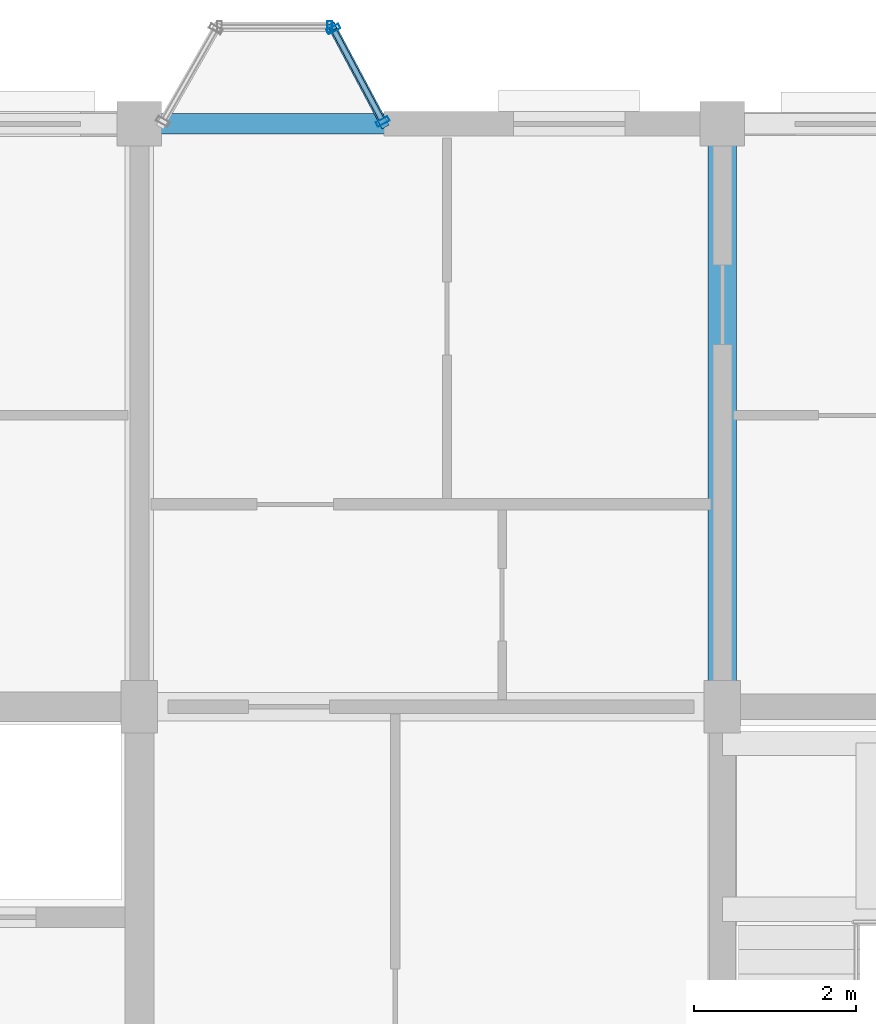
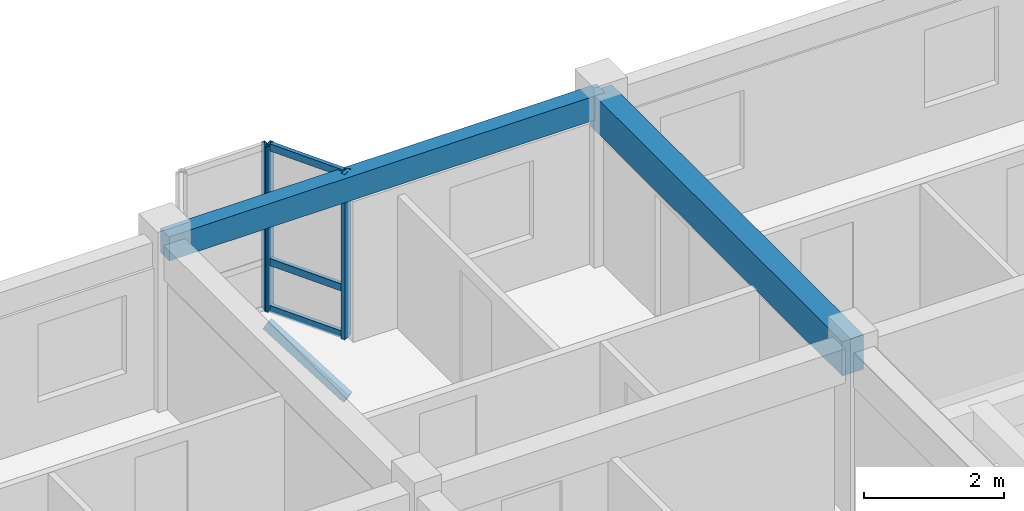
# One storey, part 39 of 75: 7 members, 2 beams, 2 elements without a shape of their own.
"""IFC4 building model written with IfcOpenShell, lengths in metres."""

import ifcopenshell
import ifcopenshell.guid

model = None  # the IFC model being written
_history = None  # IfcOwnerHistory: only IFC2X3 demands one
_inside = {}  # id of a spatial element -> (the spatial element, [elements in it])
_under = {}  # id of a project, library or spatial element -> (it, [spatial elements below it])
_declared = {}  # id of a project -> (the project, [libraries it declares])
_typed = {}  # id of a type object -> (the type object, [elements of that type])
_made_of = {}  # id of a material, layer set ... -> (it, [elements and type objects made of it])


def new_model(schema):
    """Start an empty IFC model of exactly this schema.

    Asked for "IFC4X3", IfcOpenShell would pick the latest addendum, in which some entities
    have other attributes; the version numbers below select the first issue.
    IFC2X3 requires an IfcOwnerHistory on every rooted entity: one is made here for all.
    """
    global model, _history
    if schema == "IFC4X3":
        model = ifcopenshell.file(schema_version=(4, 3, 0, 0))
    else:
        model = ifcopenshell.file(schema=schema)
    _inside.clear()
    _under.clear()
    _declared.clear()
    _typed.clear()
    _made_of.clear()
    _history = None
    if model.schema == "IFC2X3":
        org = make("IfcOrganization", Name="unknown")
        user = make(
            "IfcPersonAndOrganization",
            ThePerson=make("IfcPerson", FamilyName="unknown"),
            TheOrganization=org,
        )
        app = make(
            "IfcApplication",
            ApplicationDeveloper=org,
            Version="unknown",
            ApplicationFullName="unknown",
            ApplicationIdentifier="unknown",
        )
        _history = make(
            "IfcOwnerHistory",
            OwningUser=user,
            OwningApplication=app,
            ChangeAction="ADDED",
            CreationDate=0,
        )
    return model


def make(cls, **values):
    """One entity of the class cls with the attributes given. An attribute that is None is left unset."""
    return model.create_entity(
        cls, **{name: value for name, value in values.items() if value is not None}
    )


def rooted(cls, **values):
    """An entity with a GlobalId (a new one), such as an element, a storey or a relation."""
    return make(cls, GlobalId=ifcopenshell.guid.new(), OwnerHistory=_history, **values)


def si_unit(unit_type, name, prefix=None):
    """IfcSIUnit, for example si_unit("LENGTHUNIT", "METRE", prefix="MILLI")."""
    return make("IfcSIUnit", UnitType=unit_type, Prefix=prefix, Name=name)


def assignment(units):
    """IfcUnitAssignment: the units of a project."""
    return None if units is None else make("IfcUnitAssignment", Units=units)


def point(xyz):
    """IfcCartesianPoint."""
    return None if xyz is None else make("IfcCartesianPoint", Coordinates=xyz)


def direction(xyz):
    """IfcDirection."""
    return None if xyz is None else make("IfcDirection", DirectionRatios=xyz)


def frame(location, z_axis=None, x_axis=None):
    """IfcAxis2Placement3D, a coordinate frame: its origin and axes. An axis left out is left unset."""
    return make(
        "IfcAxis2Placement3D",
        Location=point(location),
        Axis=direction(z_axis),
        RefDirection=direction(x_axis),
    )


def frame_2d(location, x_axis=None):
    """IfcAxis2Placement2D, a coordinate frame in the plane: its origin and x axis."""
    return make(
        "IfcAxis2Placement2D", Location=point(location), RefDirection=direction(x_axis)
    )


def origin():
    """The frame at (0, 0, 0) with its axes left unset."""
    return frame((0.0, 0.0, 0.0))


def origin_2d():
    """The frame at (0, 0) in the plane with its x axis left unset."""
    return frame_2d((0.0, 0.0))


def place(relative_to, where):
    """IfcLocalPlacement: puts the frame where relative to a parent placement (None: the world)."""
    return make(
        "IfcLocalPlacement", PlacementRelTo=relative_to, RelativePlacement=where
    )


def context(
    kind, dimensions, precision=None, world=None, true_north=None, identifier=None
):
    """IfcGeometricRepresentationContext, for example the 3D "Model" context."""
    return make(
        "IfcGeometricRepresentationContext",
        ContextIdentifier=identifier,
        ContextType=kind,
        CoordinateSpaceDimension=dimensions,
        Precision=precision,
        WorldCoordinateSystem=world,
        TrueNorth=true_north,
    )


def subcontext(parent, identifier, kind, view, scale=None):
    """IfcGeometricRepresentationSubContext, for example "Body" below "Model"."""
    return make(
        "IfcGeometricRepresentationSubContext",
        ContextIdentifier=identifier,
        ContextType=kind,
        ParentContext=parent,
        TargetScale=scale,
        TargetView=view,
    )


def project(units=None, contexts=None):
    """IfcProject with its units and contexts."""
    return rooted(
        "IfcProject",
        Name="project",
        RepresentationContexts=contexts,
        UnitsInContext=assignment(units),
    )


def spatial(cls, under=None, at=None, **own):
    """A site, building, storey or space (cls), placed at a placement, below another one or the project."""
    s = rooted(cls, ObjectPlacement=at, **own)
    if under is not None:
        _under.setdefault(under.id(), (under, []))[1].append(s)
    return s


def profile(cls, at=None, kind="AREA", **sizes):
    """A parametric profile (cls). Its sizes go by their IFC names, for example OverallWidth=200.0."""
    return make(cls, ProfileType=kind, Position=at, **sizes)


def rectangle(**sizes):
    """IfcRectangleProfileDef."""
    return profile("IfcRectangleProfileDef", **sizes)


def hollow_rectangle(**sizes):
    """IfcRectangleHollowProfileDef."""
    return profile("IfcRectangleHollowProfileDef", **sizes)


def extrude(swept, where, along, depth):
    """IfcExtrudedAreaSolid: the profile swept, set in the frame where, extruded along a direction by depth."""
    return make(
        "IfcExtrudedAreaSolid",
        SweptArea=swept,
        Position=where,
        ExtrudedDirection=direction(along),
        Depth=depth,
    )


def shape(context_of_items, identifier, shape_type, items):
    """IfcShapeRepresentation: the items that make up one representation, for example the "Body"."""
    return make(
        "IfcShapeRepresentation",
        ContextOfItems=context_of_items,
        RepresentationIdentifier=identifier,
        RepresentationType=shape_type,
        Items=items,
    )


def material(Name=None, Category=None):
    """IfcMaterial."""
    return make("IfcMaterial", Name=Name, Category=Category)


def layer(
    of_material, thickness, ventilated=None, Name=None, Category=None, Priority=None
):
    """IfcMaterialLayer: one layer of a wall or slab, of a material (None: an air gap)."""
    return make(
        "IfcMaterialLayer",
        Material=of_material,
        LayerThickness=thickness,
        IsVentilated=ventilated,
        Name=Name,
        Category=Category,
        Priority=Priority,
    )


def layer_set(layers, Name=None):
    """IfcMaterialLayerSet."""
    return make("IfcMaterialLayerSet", MaterialLayers=layers, LayerSetName=Name)


def material_profile(
    of_material, cross_section, Name=None, Category=None, Priority=None
):
    """IfcMaterialProfile: a cross section and its material."""
    return make(
        "IfcMaterialProfile",
        Name=Name,
        Material=of_material,
        Profile=cross_section,
        Priority=Priority,
        Category=Category,
    )


def profile_set(profiles, Name=None, composite=None):
    """IfcMaterialProfileSet."""
    return make(
        "IfcMaterialProfileSet",
        Name=Name,
        MaterialProfiles=profiles,
        CompositeProfile=composite,
    )


def made_of(thing, what):
    """Note that an element or type object is made of a material, layer set ...; save() writes the relation."""
    if what is not None:
        _made_of.setdefault(what.id(), (what, []))[1].append(thing)
    return thing


def type_object(cls, material=None, **own):
    """A type object (cls), such as IfcWallType, which elements share."""
    return made_of(rooted(cls, **own), material)


def element(
    cls,
    number,
    at=None,
    inside=None,
    cuts=None,
    type_object=None,
    material=None,
    context=None,
    identifier="Body",
    shape_type=None,
    held_by="IfcProductDefinitionShape",
    body=None,
    shapes=None,
    **own,
):
    """One element of the class cls, such as IfcWall. Its Tag is "e" and its number.

    at: its placement. inside: the storey or other place that contains it. cuts: it is an
    opening in that element (IfcRelVoidsElement). A single representation is given by context,
    identifier, shape_type and body (its items); several are given by shapes. held_by: the class
    of the entity that holds the representations. save() writes the other relations.
    """
    e = rooted(cls, Tag="e%d" % number, ObjectPlacement=at, **own)
    if body is not None:
        shapes = [shape(context, identifier, shape_type, body)]
    if shapes is not None:
        e.Representation = make(held_by, Representations=shapes)
    if inside is not None:
        _inside.setdefault(inside.id(), (inside, []))[1].append(e)
    if cuts is not None:
        rooted(
            "IfcRelVoidsElement", RelatingBuildingElement=cuts, RelatedOpeningElement=e
        )
    if type_object is not None:
        _typed.setdefault(type_object.id(), (type_object, []))[1].append(e)
    return made_of(e, material)


def aggregate(whole, parts):
    """IfcRelAggregates: a whole, such as a stair, and the parts it consists of."""
    return rooted("IfcRelAggregates", RelatingObject=whole, RelatedObjects=parts)


def save(model, path):
    """Write the relations noted so far, then the file.

    IfcRelAggregates (storeys below a building ...), IfcRelContainedInSpatialStructure (elements
    in a storey), IfcRelDefinesByType, IfcRelAssociatesMaterial and IfcRelDeclares: one each for
    every whole, place, type object, material and project.
    """
    for whole, parts in _under.values():
        aggregate(whole, parts)
    for where, things in _inside.values():
        rooted(
            "IfcRelContainedInSpatialStructure",
            RelatedElements=things,
            RelatingStructure=where,
        )
    for kind, things in _typed.values():
        rooted("IfcRelDefinesByType", RelatedObjects=things, RelatingType=kind)
    for what, things in _made_of.values():
        rooted("IfcRelAssociatesMaterial", RelatedObjects=things, RelatingMaterial=what)
    for by, libraries in _declared.values():
        rooted("IfcRelDeclares", RelatingContext=by, RelatedDefinitions=libraries)
    model.write(path)


model = new_model("IFC4")

# Units and contexts
model_context = context("Model", 3, precision=1e-05, world=origin(), true_north=direction((0.0, 1.0)))
body_context = subcontext(model_context, "Body", "Model", "MODEL_VIEW")
ifc_project = project(units=[si_unit("LENGTHUNIT", "METRE"), si_unit("AREAUNIT", "SQUARE_METRE"), si_unit("VOLUMEUNIT", "CUBIC_METRE"), si_unit("PLANEANGLEUNIT", "RADIAN"), si_unit("MASSUNIT", "GRAM", prefix="KILO"), si_unit("THERMODYNAMICTEMPERATUREUNIT", "KELVIN"), si_unit("POWERUNIT", "WATT")], contexts=[model_context])

# Site, building, storey
site_placement = place(None, origin())
site = spatial("IfcSite", under=ifc_project, at=site_placement, CompositionType="ELEMENT")
building_placement = place(site_placement, origin())
building = spatial("IfcBuilding", under=site, at=building_placement, Name="Tavuni Mirador Residences", CompositionType="ELEMENT")
storey_placement = place(building_placement, frame((0.0, 0.0, 20.25)))
storey = spatial("IfcBuildingStorey", under=building, at=storey_placement, Name="L06", CompositionType="ELEMENT", Elevation=20.25)

# Beams
ifc_material_1 = material(Name="Precast concrete C40/50", Category="concrete")
ifc_material_profile_1 = material_profile(ifc_material_1, rectangle(XDim=0.35009765625, YDim=0.60009765625, at=origin_2d()), Name="PC 350x600", Category="concrete")
ifc_profile_set_1 = profile_set([ifc_material_profile_1], Name="Precast concrete C40/50")
beam_type_1 = type_object("IfcBeamType", Name="BT-B600", PredefinedType="BEAM", material=ifc_profile_set_1)
beam_1_placement = place(storey_placement, frame((39.60009765625, 165.60009765625, 2.5849609375), z_axis=(0.0, 1.0, 0.0), x_axis=(-1.0, 0.0, 0.0)))
element("IfcBeam", 1, at=beam_1_placement, inside=storey, type_object=beam_type_1, Name="BMY-BLK-C-L06-04-03", PredefinedType="BEAM", context=body_context, shape_type="SweptSolid", body=[
    extrude(rectangle(XDim=0.35009765625, YDim=0.60009765625, at=origin_2d()), origin(), (0.0, 0.0, 1.0), 7.199951171875),
])
ifc_material_profile_2 = material_profile(ifc_material_1, rectangle(XDim=0.25, YDim=0.419921875, at=origin_2d()), Name="PC 250x420", Category="concrete")
ifc_profile_set_2 = profile_set([ifc_material_profile_2], Name="Precast concrete C40/50")
beam_type_2 = type_object("IfcBeamType", Name="BT-SP420", PredefinedType="SPANDREL", material=ifc_profile_set_2)
beam_2_placement = place(storey_placement, frame((32.39990234375, 172.800048828125, 2.675048828125), z_axis=(1.0, 0.0, 0.0), x_axis=(0.0, 1.0, 0.0)))
element("IfcBeam", 2, at=beam_2_placement, inside=storey, type_object=beam_type_2, Name="BMX-BLK-C-L06-03-04", PredefinedType="SPANDREL", context=body_context, shape_type="SweptSolid", body=[
    extrude(rectangle(XDim=0.25, YDim=0.419921875, at=origin_2d()), origin(), (0.0, 0.0, 1.0), 7.2001953125),
])

# Curtain wall, member
ifc_material_2 = material(Name="Anodised aluminium", Category="aluminium")
ifc_layer_1 = layer(ifc_material_2, 0.175048828125, Name="Anodised aluminium", Category="aluminium")
ifc_layer_set_1 = layer_set([ifc_layer_1], Name="Anodised aluminium")
curtain_wall_type_1 = type_object("IfcCurtainWallType", Name="CWT-MIR-C", PredefinedType="NOTDEFINED", material=ifc_layer_set_1)
curtain_wall_1_placement = place(storey_placement, origin())
curtain_wall_1 = element("IfcCurtainWall", 3, at=curtain_wall_1_placement, inside=storey, type_object=curtain_wall_type_1, Name="CW-MIR-C-N2-L06-MF", PredefinedType="NOTDEFINED")
ifc_material_profile_3 = material_profile(ifc_material_2, hollow_rectangle(XDim=0.06005859375, YDim=0.139892578125, WallThickness=0.00390625, at=origin_2d()), Name="ALU 60x140x4.0", Category="aluminium")
ifc_profile_set_3 = profile_set([ifc_material_profile_3], Name="Anodised aluminium")
member_type_1 = type_object("IfcMemberType", Name="CWM-140", PredefinedType="MULLION", material=ifc_profile_set_3)
member_1_placement = place(storey_placement, frame((34.75, 174.0, 0.0), z_axis=(0.0, 0.0, 1.0), x_axis=(-1.0, 0.0, 0.0)))
member_1 = element("IfcMember", 4, at=member_1_placement, type_object=member_type_1, Name="CW-03 mullion 1", PredefinedType="MULLION", context=body_context, shape_type="SweptSolid", body=[
    extrude(hollow_rectangle(XDim=0.06005859375, YDim=0.139892578125, WallThickness=0.00390625, at=origin_2d()), origin(), (0.0, 0.0, 1.0), 2.885009765625),
])
aggregate(curtain_wall_1, [member_1])

# Curtain wall, members
ifc_layer_2 = layer(ifc_material_2, 0.14990234375, Name="Anodised aluminium", Category="aluminium")
ifc_layer_set_2 = layer_set([ifc_layer_2], Name="Anodised aluminium")
curtain_wall_type_2 = type_object("IfcCurtainWallType", Name="CWT-MIR-B", PredefinedType="NOTDEFINED", material=ifc_layer_set_2)
curtain_wall_2_placement = place(storey_placement, origin())
curtain_wall_2 = element("IfcCurtainWall", 5, at=curtain_wall_2_placement, inside=storey, type_object=curtain_wall_type_2, Name="CW-MIR-C-N2-L06-M1", PredefinedType="NOTDEFINED")
ifc_material_profile_4 = material_profile(ifc_material_2, hollow_rectangle(XDim=0.06494140625, YDim=0.1650390625, WallThickness=0.00439453125, at=origin_2d()), Name="ALU 65x165x4.5", Category="aluminium")
ifc_profile_set_4 = profile_set([ifc_material_profile_4], Name="Anodised aluminium")
member_type_2 = type_object("IfcMemberType", Name="CWM-165", PredefinedType="MULLION", material=ifc_profile_set_4)
member_2_placement = place(storey_placement, frame((35.40478515625, 172.82861328125, 0.0), z_axis=(0.0, 0.0, 1.0), x_axis=(-0.470588235296, 0.882352941175, 0.0)))
member_2 = element("IfcMember", 6, at=member_2_placement, type_object=member_type_2, Name="CW-02 mullion 1", PredefinedType="MULLION", context=body_context, shape_type="SweptSolid", body=[
    extrude(hollow_rectangle(XDim=0.06494140625, YDim=0.1650390625, WallThickness=0.00439453125, at=origin_2d()), origin(), (0.0, 0.0, 1.0), 2.885009765625),
])
member_3_placement = place(storey_placement, frame((34.79541015625, 173.971435546875, 0.0), z_axis=(0.0, 0.0, 1.0), x_axis=(-0.470588235296, 0.882352941175, 0.0)))
member_3 = element("IfcMember", 7, at=member_3_placement, type_object=member_type_2, Name="CW-02 mullion 2", PredefinedType="MULLION", context=body_context, shape_type="SweptSolid", body=[
    extrude(hollow_rectangle(XDim=0.06494140625, YDim=0.1650390625, WallThickness=0.00439453125, at=origin_2d()), origin(), (0.0, 0.0, 1.0), 2.885009765625),
])
ifc_material_profile_5 = material_profile(ifc_material_2, hollow_rectangle(XDim=0.06494140625, YDim=0.125, WallThickness=0.00439453125, at=origin_2d()), Name="ALU 65x125x4.5", Category="aluminium")
ifc_profile_set_5 = profile_set([ifc_material_profile_5], Name="Anodised aluminium")
member_type_3 = type_object("IfcMemberType", Name="CWT-125", PredefinedType="USERDEFINED", material=ifc_profile_set_5)
member_4_placement = place(storey_placement, frame((35.389404296875, 172.857421875, 0.032470703125), z_axis=(-0.470639747922, 0.882325465843, 0.0), x_axis=(-0.882325465843, -0.470639747922, 0.0)))
member_4 = element("IfcMember", 8, at=member_4_placement, type_object=member_type_3, Name="CW-02 transom 1.1", ObjectType="TRANSOM", PredefinedType="USERDEFINED", context=body_context, shape_type="SweptSolid", body=[
    extrude(hollow_rectangle(XDim=0.06494140625, YDim=0.125, WallThickness=0.00439453125, at=origin_2d()), origin(), (0.0, 0.0, 1.0), 1.22998046875),
])
member_5_placement = place(storey_placement, frame((35.389404296875, 172.857421875, 0.85009765625), z_axis=(-0.470639747922, 0.882325465843, 0.0), x_axis=(-0.882325465843, -0.470639747922, 0.0)))
member_5 = element("IfcMember", 9, at=member_5_placement, type_object=member_type_3, Name="CW-02 transom 1.2", ObjectType="TRANSOM", PredefinedType="USERDEFINED", context=body_context, shape_type="SweptSolid", body=[
    extrude(hollow_rectangle(XDim=0.06494140625, YDim=0.125, WallThickness=0.00439453125, at=origin_2d()), origin(), (0.0, 0.0, 1.0), 1.22998046875),
])
member_6_placement = place(storey_placement, frame((35.389404296875, 172.857421875, 2.8525390625), z_axis=(-0.470639747922, 0.882325465843, 0.0), x_axis=(-0.882325465843, -0.470639747922, 0.0)))
member_6 = element("IfcMember", 10, at=member_6_placement, type_object=member_type_3, Name="CW-02 transom 1.3", ObjectType="TRANSOM", PredefinedType="USERDEFINED", context=body_context, shape_type="SweptSolid", body=[
    extrude(hollow_rectangle(XDim=0.06494140625, YDim=0.125, WallThickness=0.00439453125, at=origin_2d()), origin(), (0.0, 0.0, 1.0), 1.22998046875),
])
aggregate(curtain_wall_2, [member_2, member_3, member_4, member_5, member_6])

# Member
ifc_material_3 = material(Name="Structural steel S355", Category="steel")
ifc_material_profile_6 = material_profile(ifc_material_3, hollow_rectangle(XDim=0.10009765625, YDim=0.179931640625, WallThickness=0.008056640625, at=origin_2d()), Name="RHS 180x100x8.0", Category="steel")
ifc_profile_set_6 = profile_set([ifc_material_profile_6], Name="Structural steel S355")
member_type_4 = type_object("IfcMemberType", Name="MT-BR-RHS180", PredefinedType="BRACE", material=ifc_profile_set_6)
member_7_placement = place(storey_placement, frame((35.419921875, 172.800048828125, -1.050048828125), z_axis=(-0.407499208462, 0.764158187558, 0.500006659448), x_axis=(-0.882377788047, -0.47054164445, 0.0)))
element("IfcMember", 11, at=member_7_placement, inside=storey, type_object=member_type_4, Name="MBRK-MIR-C-N2-L06-2", PredefinedType="BRACE", context=body_context, shape_type="SweptSolid", body=[
    extrude(hollow_rectangle(XDim=0.10009765625, YDim=0.179931640625, WallThickness=0.008056640625, at=origin_2d()), origin(), (0.0, 0.0, 1.0), 1.5703125),
])

save(model, "model.ifc")
